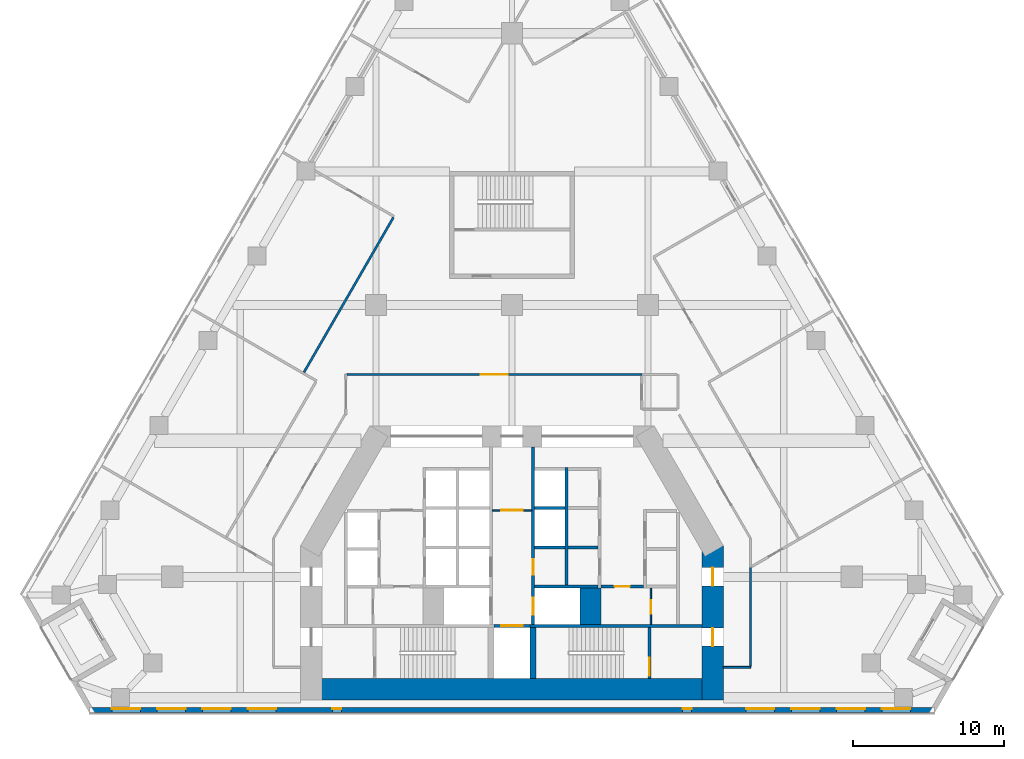
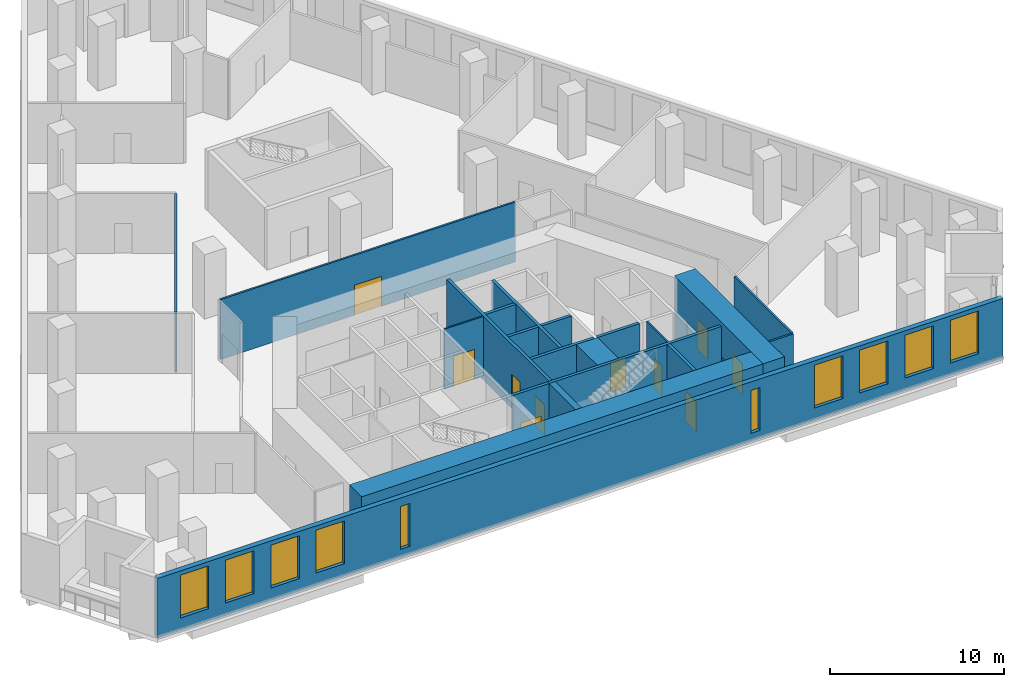
# One storey, part 5 of 14: 21 walls, 10 doors, 10 windows, 20 openings.
"""IFC4 building model written with IfcOpenShell, lengths in metres."""

from ifc_helpers import new_model, si_unit, direction, frame, frame_2d, origin, place, context, subcontext, project, spatial, rectangle, extrude, material, layer, layer_set, type_object, element, fill, save


model = new_model("IFC4")

# Units and contexts
model_context = context("Model", 3, precision=1e-05, world=origin(), true_north=direction((0.0, 1.0)))
body_context = subcontext(model_context, "Body", "Model", "MODEL_VIEW")
ifc_project = project(units=[si_unit("LENGTHUNIT", "METRE"), si_unit("AREAUNIT", "SQUARE_METRE"), si_unit("VOLUMEUNIT", "CUBIC_METRE"), si_unit("PLANEANGLEUNIT", "RADIAN"), si_unit("MASSUNIT", "GRAM", prefix="KILO")], contexts=[model_context])

# Site, building, storey
site_placement = place(None, origin())
site = spatial("IfcSite", under=ifc_project, at=site_placement, CompositionType="ELEMENT")
building_placement = place(site_placement, origin())
building = spatial("IfcBuilding", under=site, at=building_placement, Name="Fogline Exchange Tower", CompositionType="ELEMENT")
storey_placement = place(building_placement, frame((0.0, 0.0, 34.0)))
storey = spatial("IfcBuildingStorey", under=building, at=storey_placement, Name="L06", CompositionType="ELEMENT", Elevation=34.0)

# Wall, opening, door
ifc_material_1 = material(Name="Blockwork partition", Category="masonry")
ifc_layer_1 = layer(ifc_material_1, 0.10009765625)
ifc_layer_set_1 = layer_set([ifc_layer_1], Name="CW10")
wall_type_1 = type_object("IfcWallType", Name="CW10", PredefinedType="PARTITIONING", material=ifc_layer_set_1)
wall_1_placement = place(storey_placement, frame((9.199951171875, 5.85009765625, 0.0), z_axis=(0.0, 0.0, 1.0), x_axis=(0.0, 1.0, 0.0)))
wall_1 = element("IfcWall", 1, at=wall_1_placement, inside=storey, type_object=wall_type_1, Name="WC partition", PredefinedType="PARTITIONING", context=body_context, shape_type="SweptSolid", body=[
    extrude(rectangle(XDim=2.39990234375, YDim=0.10009765625, at=frame_2d((1.199951171875, 0.0))), origin(), (0.0, 0.0, 1.0), 4.199951171875),
])
opening_1_placement = place(wall_1_placement, frame((0.699951171875, 0.0, 0.0)))
opening_1 = element("IfcOpeningElement", 2, at=opening_1_placement, cuts=wall_1, Name="Opening T01-C014", PredefinedType="OPENING", context=body_context, shape_type="SweptSolid", body=[
    extrude(rectangle(XDim=0.89990234375, YDim=2.10009765625, at=frame_2d((0.449951171875, 1.050048828125))), frame((0.0, 0.06005859375, 0.0), z_axis=(0.0, -1.0, 0.0), x_axis=(1.0, 0.0, 0.0)), (0.0, 0.0, 1.0), 0.1201171875),
])
ifc_material_2 = material(Name="Steel and timber fire door", Category="steel")
door_type_1 = type_object("IfcDoorType", Name="D-CS1", OperationType="SINGLE_SWING_RIGHT", PredefinedType="DOOR", material=ifc_material_2)
door_1_placement = place(opening_1_placement, frame((0.89990234375, 0.0, 0.0), z_axis=(0.0, 0.0, 1.0), x_axis=(-1.0, 0.0, 0.0)))
door_1 = element("IfcDoor", 3, at=door_1_placement, inside=storey, type_object=door_type_1, Name="Door to Cleaner's Store", OperationType="SINGLE_SWING_RIGHT", OverallHeight=2.10009765625, OverallWidth=0.89990234375, PredefinedType="DOOR", context=body_context, shape_type="SweptSolid", body=[
    extrude(rectangle(XDim=0.89990234375, YDim=2.10009765625, at=frame_2d((0.449951171875, 1.050048828125))), frame((0.0, 0.02490234375, 0.0), z_axis=(0.0, -1.0, 0.0), x_axis=(1.0, 0.0, 0.0)), (0.0, 0.0, 1.0), 0.050048828125),
])
fill(opening_1, door_1)

wall_2_placement = place(storey_placement, frame((-1.300048828125, 13.39990234375, 0.0), z_axis=(0.0, 0.0, 1.0), x_axis=(1.0, 0.0, 0.0)))
wall_2 = element("IfcWall", 4, at=wall_2_placement, inside=storey, type_object=wall_type_1, Name="Lift lobby partition", PredefinedType="PARTITIONING", context=body_context, shape_type="SweptSolid", body=[
    extrude(rectangle(XDim=2.60009765625, YDim=0.10009765625, at=frame_2d((1.300048828125, 0.0))), origin(), (0.0, 0.0, 1.0), 4.199951171875),
])
opening_2_placement = place(wall_2_placement, frame((0.60009765625, 0.0, 0.0)))
opening_2 = element("IfcOpeningElement", 5, at=opening_2_placement, cuts=wall_2, Name="Opening T01-C018", PredefinedType="OPENING", context=body_context, shape_type="SweptSolid", body=[
    extrude(rectangle(XDim=1.39990234375, YDim=2.10009765625, at=frame_2d((0.699951171875, 1.050048828125))), frame((0.0, 0.06005859375, 0.0), z_axis=(0.0, -1.0, 0.0), x_axis=(1.0, 0.0, 0.0)), (0.0, 0.0, 1.0), 0.1201171875),
])
door_type_2 = type_object("IfcDoorType", Name="D-LB1", OperationType="DOUBLE_DOOR_SINGLE_SWING", PredefinedType="DOOR", material=ifc_material_2)
door_2_placement = place(opening_2_placement, origin())
door_2 = element("IfcDoor", 6, at=door_2_placement, inside=storey, type_object=door_type_2, Name="Door to firefighting lift lobby", OperationType="DOUBLE_DOOR_SINGLE_SWING", OverallHeight=2.10009765625, OverallWidth=1.39990234375, PredefinedType="DOOR", context=body_context, shape_type="SweptSolid", body=[
    extrude(rectangle(XDim=1.39990234375, YDim=2.10009765625, at=frame_2d((0.699951171875, 1.050048828125))), frame((0.0, 0.02490234375, 0.0), z_axis=(0.0, -1.0, 0.0), x_axis=(1.0, 0.0, 0.0)), (0.0, 0.0, 1.0), 0.050048828125),
])
fill(opening_2, door_2)

# Wall
ifc_material_3 = material(Name="Concrete C60", Category="concrete")
ifc_layer_2 = layer(ifc_material_3, 1.39990234375)
ifc_layer_set_2 = layer_set([ifc_layer_2], Name="CW140")
wall_type_2 = type_object("IfcWallType", Name="CW140", PredefinedType="SOLIDWALL", material=ifc_layer_set_2)
wall_3_placement = place(storey_placement, frame((5.199951171875, 5.85009765625, -0.300048828125), z_axis=(0.0, 0.0, 1.0), x_axis=(0.0, 1.0, 0.0)))
element("IfcWall", 7, at=wall_3_placement, inside=storey, type_object=wall_type_2, Name="Lift shaft block wall", PredefinedType="SOLIDWALL", context=body_context, shape_type="SweptSolid", body=[
    extrude(rectangle(XDim=2.39990234375, YDim=1.39990234375, at=frame_2d((1.199951171875, 0.0))), origin(), (0.0, 0.0, 1.0), 4.5),
])

# Wall, opening, door
ifc_material_4 = material(Name="Concrete C40", Category="concrete")
ifc_layer_3 = layer(ifc_material_4, 0.199951171875)
ifc_layer_set_3 = layer_set([ifc_layer_3], Name="CW20")
wall_type_3 = type_object("IfcWallType", Name="CW20", PredefinedType="SOLIDWALL", material=ifc_layer_set_3)
wall_4_placement = place(storey_placement, frame((5.89990234375, 8.35009765625, 0.0), z_axis=(0.0, 0.0, 1.0), x_axis=(1.0, 0.0, 0.0)))
wall_4 = element("IfcWall", 8, at=wall_4_placement, inside=storey, type_object=wall_type_3, Name="WC wall", PredefinedType="SOLIDWALL", context=body_context, shape_type="SweptSolid", body=[
    extrude(rectangle(XDim=2.800048828125, YDim=0.199951171875, at=frame_2d((1.39990234375, 0.0))), origin(), (0.0, 0.0, 1.0), 4.199951171875),
])
opening_3_placement = place(wall_4_placement, frame((0.89990234375, 0.0, 0.0)))
opening_3 = element("IfcOpeningElement", 9, at=opening_3_placement, cuts=wall_4, Name="Opening T01-C013", PredefinedType="OPENING", context=body_context, shape_type="SweptSolid", body=[
    extrude(rectangle(XDim=1.0, YDim=2.10009765625, at=frame_2d((0.5, 1.050048828125))), frame((0.0, 0.10986328125, 0.0), z_axis=(0.0, -1.0, 0.0), x_axis=(1.0, 0.0, 0.0)), (0.0, 0.0, 1.0), 0.219970703125),
])
door_type_3 = type_object("IfcDoorType", Name="D-WC1", OperationType="SINGLE_SWING_LEFT", PredefinedType="DOOR", material=ifc_material_2)
door_3_placement = place(opening_3_placement, frame((1.0, 0.0, 0.0), z_axis=(0.0, 0.0, 1.0), x_axis=(-1.0, 0.0, 0.0)))
door_3 = element("IfcDoor", 10, at=door_3_placement, inside=storey, type_object=door_type_3, Name="Door to Women's WC", OperationType="SINGLE_SWING_LEFT", OverallHeight=2.10009765625, OverallWidth=1.0, PredefinedType="DOOR", context=body_context, shape_type="SweptSolid", body=[
    extrude(rectangle(XDim=1.0, YDim=2.10009765625, at=frame_2d((0.5, 1.050048828125))), frame((0.0, 0.02490234375, 0.0), z_axis=(0.0, -1.0, 0.0), x_axis=(1.0, 0.0, 0.0)), (0.0, 0.0, 1.0), 0.050048828125),
])
fill(opening_3, door_3)

ifc_layer_4 = layer(ifc_material_4, 0.199951171875)
ifc_layer_set_4 = layer_set([ifc_layer_4], Name="CW20R")
wall_type_4 = type_object("IfcWallType", Name="CW20R", PredefinedType="SOLIDWALL", material=ifc_layer_set_4)
wall_5_placement = place(storey_placement, frame((-1.199951171875, 5.75, -0.300048828125), z_axis=(0.0, 0.0, 1.0), x_axis=(1.0, 0.0, 0.0)))
wall_5 = element("IfcWall", 11, at=wall_5_placement, inside=storey, type_object=wall_type_4, Name="Stair enclosure wall", PredefinedType="SOLIDWALL", context=body_context, shape_type="SweptSolid", body=[
    extrude(rectangle(XDim=2.39990234375, YDim=0.199951171875, at=frame_2d((1.199951171875, 0.0))), origin(), (0.0, 0.0, 1.0), 4.5),
])
opening_4_placement = place(wall_5_placement, frame((0.5, 0.0, 0.300048828125)))
opening_4 = element("IfcOpeningElement", 12, at=opening_4_placement, cuts=wall_5, Name="Opening T01-LD09", PredefinedType="OPENING", context=body_context, shape_type="SweptSolid", body=[
    extrude(rectangle(XDim=1.39990234375, YDim=2.10009765625, at=frame_2d((0.699951171875, 1.050048828125))), frame((0.0, 0.10986328125, 0.0), z_axis=(0.0, -1.0, 0.0), x_axis=(1.0, 0.0, 0.0)), (0.0, 0.0, 1.0), 0.219970703125),
])
door_type_4 = type_object("IfcDoorType", Name="LD3", OperationType="SLIDING_TO_LEFT", PredefinedType="DOOR", material=ifc_material_2)
door_4_placement = place(opening_4_placement, origin())
door_4 = element("IfcDoor", 13, at=door_4_placement, inside=storey, type_object=door_type_4, Name="Landing door GL1", OperationType="SLIDING_TO_LEFT", OverallHeight=2.10009765625, OverallWidth=1.39990234375, PredefinedType="DOOR", context=body_context, shape_type="SweptSolid", body=[
    extrude(rectangle(XDim=1.39990234375, YDim=2.10009765625, at=frame_2d((0.699951171875, 1.050048828125))), frame((0.0, 0.02490234375, 0.0), z_axis=(0.0, -1.0, 0.0), x_axis=(1.0, 0.0, 0.0)), (0.0, 0.0, 1.0), 0.050048828125),
])
fill(opening_4, door_4)

# Wall
wall_6_placement = place(storey_placement, frame((1.199951171875, 5.75, -0.300048828125), z_axis=(0.0, 0.0, 1.0), x_axis=(1.0, 0.0, 0.0)))
element("IfcWall", 14, at=wall_6_placement, inside=storey, type_object=wall_type_4, Name="Stair enclosure wall", PredefinedType="SOLIDWALL", context=body_context, shape_type="SweptSolid", body=[
    extrude(rectangle(XDim=11.400146484375, YDim=0.199951171875, at=frame_2d((5.7001953125, 0.0))), origin(), (0.0, 0.0, 1.0), 4.5),
])

# Wall, opening, door
wall_7_placement = place(storey_placement, frame((9.10009765625, 2.25, -0.300048828125), z_axis=(0.0, 0.0, 1.0), x_axis=(0.0, 1.0, 0.0)))
wall_7 = element("IfcWall", 15, at=wall_7_placement, inside=storey, type_object=wall_type_4, Name="Stair enclosure wall", PredefinedType="SOLIDWALL", context=body_context, shape_type="SweptSolid", body=[
    extrude(rectangle(XDim=3.39990234375, YDim=0.199951171875, at=frame_2d((1.699951171875, 0.0))), origin(), (0.0, 0.0, 1.0), 4.5),
])
opening_5_placement = place(wall_7_placement, frame((0.199951171875, 0.0, 0.300048828125)))
opening_5 = element("IfcOpeningElement", 16, at=opening_5_placement, cuts=wall_7, Name="Opening T01-C016", PredefinedType="OPENING", context=body_context, shape_type="SweptSolid", body=[
    extrude(rectangle(XDim=1.199951171875, YDim=2.10009765625, at=frame_2d((0.60009765625, 1.050048828125))), frame((0.0, 0.10986328125, 0.0), z_axis=(0.0, -1.0, 0.0), x_axis=(1.0, 0.0, 0.0)), (0.0, 0.0, 1.0), 0.219970703125),
])
door_type_5 = type_object("IfcDoorType", Name="D-ST1", OperationType="SINGLE_SWING_LEFT", PredefinedType="DOOR", material=ifc_material_2)
door_5_placement = place(opening_5_placement, origin())
door_5 = element("IfcDoor", 17, at=door_5_placement, inside=storey, type_object=door_type_5, Name="Stair door ST2", OperationType="SINGLE_SWING_LEFT", OverallHeight=2.10009765625, OverallWidth=1.199951171875, PredefinedType="DOOR", context=body_context, shape_type="SweptSolid", body=[
    extrude(rectangle(XDim=1.199951171875, YDim=2.10009765625, at=frame_2d((0.60009765625, 1.050048828125))), frame((0.0, 0.02490234375, 0.0), z_axis=(0.0, -1.0, 0.0), x_axis=(1.0, 0.0, 0.0)), (0.0, 0.0, 1.0), 0.050048828125),
])
fill(opening_5, door_5)

# Wall
ifc_layer_5 = layer(ifc_material_4, 0.199951171875)
ifc_layer_set_5 = layer_set([ifc_layer_5], Name="CW20S")
wall_type_5 = type_object("IfcWallType", Name="CW20S", PredefinedType="SOLIDWALL", material=ifc_layer_set_5)
wall_8_placement = place(storey_placement, frame((3.60009765625, 8.449951171875, -0.300048828125), z_axis=(0.0, 0.0, 1.0), x_axis=(0.0, 1.0, 0.0)))
element("IfcWall", 18, at=wall_8_placement, inside=storey, type_object=wall_type_5, Name="Lift shaft wall", PredefinedType="SOLIDWALL", context=body_context, shape_type="SweptSolid", body=[
    extrude(rectangle(XDim=7.800048828125, YDim=0.199951171875, at=frame_2d((3.89990234375, 0.0))), origin(), (0.0, 0.0, 1.0), 4.5),
])

# Wall, openings, doors
wall_9_placement = place(storey_placement, frame((1.39990234375, 5.85009765625, -0.300048828125), z_axis=(0.0, 0.0, 1.0), x_axis=(0.0, 1.0, 0.0)))
wall_9 = element("IfcWall", 19, at=wall_9_placement, inside=storey, type_object=wall_type_5, Name="Lift lobby wall", PredefinedType="SOLIDWALL", context=body_context, shape_type="SweptSolid", body=[
    extrude(rectangle(XDim=11.75, YDim=0.199951171875, at=frame_2d((5.875, 0.0))), origin(), (0.0, 0.0, 1.0), 4.5),
])
opening_6_placement = place(wall_9_placement, frame((0.64990234375, 0.0, 0.300048828125)))
opening_6 = element("IfcOpeningElement", 20, at=opening_6_placement, cuts=wall_9, Name="Opening T01-LD08", PredefinedType="OPENING", context=body_context, shape_type="SweptSolid", body=[
    extrude(rectangle(XDim=1.10009765625, YDim=2.10009765625, at=frame_2d((0.550048828125, 1.050048828125))), frame((0.0, 0.10986328125, 0.0), z_axis=(0.0, -1.0, 0.0), x_axis=(1.0, 0.0, 0.0)), (0.0, 0.0, 1.0), 0.219970703125),
])
opening_7_placement = place(wall_9_placement, frame((3.300048828125, 0.0, 0.300048828125)))
opening_7 = element("IfcOpeningElement", 21, at=opening_7_placement, cuts=wall_9, Name="Opening T01-C006", PredefinedType="OPENING", context=body_context, shape_type="SweptSolid", body=[
    extrude(rectangle(XDim=1.0, YDim=2.10009765625, at=frame_2d((0.5, 1.050048828125))), frame((0.0, 0.10986328125, 0.0), z_axis=(0.0, -1.0, 0.0), x_axis=(1.0, 0.0, 0.0)), (0.0, 0.0, 1.0), 0.219970703125),
])
door_type_6 = type_object("IfcDoorType", Name="D-RM1", OperationType="SINGLE_SWING_LEFT", PredefinedType="DOOR", material=ifc_material_2)
door_6_placement = place(opening_7_placement, frame((1.0, 0.0, 0.0), z_axis=(0.0, 0.0, 1.0), x_axis=(-1.0, 0.0, 0.0)))
door_6 = element("IfcDoor", 22, at=door_6_placement, inside=storey, type_object=door_type_6, Name="Door to Records Store", OperationType="SINGLE_SWING_RIGHT", OverallHeight=2.10009765625, OverallWidth=1.0, PredefinedType="DOOR", context=body_context, shape_type="SweptSolid", body=[
    extrude(rectangle(XDim=1.0, YDim=2.10009765625, at=frame_2d((0.5, 1.050048828125))), frame((0.0, 0.02490234375, 0.0), z_axis=(0.0, -1.0, 0.0), x_axis=(1.0, 0.0, 0.0)), (0.0, 0.0, 1.0), 0.050048828125),
])
fill(opening_7, door_6)
door_type_7 = type_object("IfcDoorType", Name="LD2", OperationType="SLIDING_TO_RIGHT", PredefinedType="DOOR", material=ifc_material_2)
door_7_placement = place(opening_6_placement, origin())
door_7 = element("IfcDoor", 23, at=door_7_placement, inside=storey, type_object=door_type_7, Name="Landing door FF2", OperationType="SLIDING_TO_RIGHT", OverallHeight=2.10009765625, OverallWidth=1.10009765625, PredefinedType="DOOR", context=body_context, shape_type="SweptSolid", body=[
    extrude(rectangle(XDim=1.10009765625, YDim=2.10009765625, at=frame_2d((0.550048828125, 1.050048828125))), frame((0.0, 0.02490234375, 0.0), z_axis=(0.0, -1.0, 0.0), x_axis=(1.0, 0.0, 0.0)), (0.0, 0.0, 1.0), 0.050048828125),
])
fill(opening_6, door_7)

# Walls
wall_10_placement = place(storey_placement, frame((1.5, 8.35009765625, -0.300048828125), z_axis=(0.0, 0.0, 1.0), x_axis=(1.0, 0.0, 0.0)))
element("IfcWall", 24, at=wall_10_placement, inside=storey, type_object=wall_type_5, Name="Lift shaft wall", PredefinedType="SOLIDWALL", context=body_context, shape_type="SweptSolid", body=[
    extrude(rectangle(XDim=4.199951171875, YDim=0.199951171875, at=frame_2d((2.10009765625, 0.0))), origin(), (0.0, 0.0, 1.0), 4.5),
])
for number, where, z_axis, x_axis, name in (
    (25, (3.699951171875, 10.949951171875, -0.300048828125), (0.0, 0.0, 1.0), (1.0, 0.0, 0.0), "Lift shaft wall"),
    (26, (1.5, 10.949951171875, -0.300048828125), (0.0, 0.0, 1.0), (1.0, 0.0, 0.0), "Lift shaft wall"),
    (27, (1.5, 13.550048828125, -0.300048828125), (0.0, 0.0, 1.0), (1.0, 0.0, 0.0), "Lift shaft wall"),
):
    element("IfcWall", number, at=place(storey_placement, frame(where, z_axis=z_axis, x_axis=x_axis)), inside=storey, type_object=wall_type_5, Name=name, PredefinedType="SOLIDWALL", context=body_context, shape_type="SweptSolid", body=[
        extrude(rectangle(XDim=2.0, YDim=0.199951171875, at=frame_2d((1.0, 0.0))), origin(), (0.0, 0.0, 1.0), 4.5),
    ])
ifc_layer_6 = layer(ifc_material_4, 0.39990234375)
ifc_layer_set_6 = layer_set([ifc_layer_6], Name="CW40R")
wall_type_6 = type_object("IfcWallType", Name="CW40R", PredefinedType="SOLIDWALL", material=ifc_layer_set_6)
wall_11_placement = place(storey_placement, frame((1.39990234375, 2.25, -0.300048828125), z_axis=(0.0, 0.0, 1.0), x_axis=(0.0, 1.0, 0.0)))
element("IfcWall", 28, at=wall_11_placement, inside=storey, type_object=wall_type_6, Name="Stair and lift shaft wall", PredefinedType="SOLIDWALL", context=body_context, shape_type="SweptSolid", body=[
    extrude(rectangle(XDim=3.39990234375, YDim=0.39990234375, at=frame_2d((1.699951171875, 0.0))), origin(), (0.0, 0.0, 1.0), 4.5),
])

# Wall, openings, windows
ifc_material_5 = material(Name="Brick masonry", Category="masonry")
ifc_layer_7 = layer(ifc_material_5, 0.340087890625)
ifc_layer_set_7 = layer_set([ifc_layer_7], Name="FW1")
wall_type_7 = type_object("IfcWallType", Name="FW1", PredefinedType="SOLIDWALL", material=ifc_layer_set_7)
wall_12_placement = place(storey_placement, frame((-28.0, 0.169921875, 0.0), z_axis=(0.0, 0.0, 1.0), x_axis=(1.0, 0.0, 0.0)))
wall_12 = element("IfcWall", 29, at=wall_12_placement, inside=storey, type_object=wall_type_7, Name="Brick wall L06 S", PredefinedType="SOLIDWALL", context=body_context, shape_type="SweptSolid", body=[
    extrude(rectangle(XDim=56.0, YDim=0.340087890625, at=frame_2d((28.0, 0.0))), origin(), (0.0, 0.0, 1.0), 4.199951171875),
])
opening_8_placement = place(wall_12_placement, frame((1.5, 0.0, 0.89990234375)))
opening_8 = element("IfcOpeningElement", 30, at=opening_8_placement, cuts=wall_12, Name="Opening W2", PredefinedType="OPENING", context=body_context, shape_type="SweptSolid", body=[
    extrude(rectangle(XDim=1.885009765625, YDim=3.0, at=frame_2d((0.9423828125, 1.5))), frame((0.0, 0.18017578125, 0.0), z_axis=(0.0, -1.0, 0.0), x_axis=(1.0, 0.0, 0.0)), (0.0, 0.0, 1.0), 0.360107421875),
])
opening_9_placement = place(wall_12_placement, frame((4.5, 0.0, 0.89990234375)))
opening_9 = element("IfcOpeningElement", 31, at=opening_9_placement, cuts=wall_12, Name="Opening W2", PredefinedType="OPENING", context=body_context, shape_type="SweptSolid", body=[
    extrude(rectangle(XDim=1.885009765625, YDim=3.0, at=frame_2d((0.9423828125, 1.5))), frame((0.0, 0.18017578125, 0.0), z_axis=(0.0, -1.0, 0.0), x_axis=(1.0, 0.0, 0.0)), (0.0, 0.0, 1.0), 0.360107421875),
])
opening_10_placement = place(wall_12_placement, frame((7.5, 0.0, 0.89990234375)))
opening_10 = element("IfcOpeningElement", 32, at=opening_10_placement, cuts=wall_12, Name="Opening W2", PredefinedType="OPENING", context=body_context, shape_type="SweptSolid", body=[
    extrude(rectangle(XDim=1.885009765625, YDim=3.0, at=frame_2d((0.9423828125, 1.5))), frame((0.0, 0.18017578125, 0.0), z_axis=(0.0, -1.0, 0.0), x_axis=(1.0, 0.0, 0.0)), (0.0, 0.0, 1.0), 0.360107421875),
])
opening_11_placement = place(wall_12_placement, frame((10.5, 0.0, 0.89990234375)))
opening_11 = element("IfcOpeningElement", 33, at=opening_11_placement, cuts=wall_12, Name="Opening W2", PredefinedType="OPENING", context=body_context, shape_type="SweptSolid", body=[
    extrude(rectangle(XDim=1.885009765625, YDim=3.0, at=frame_2d((0.9423828125, 1.5))), frame((0.0, 0.18017578125, 0.0), z_axis=(0.0, -1.0, 0.0), x_axis=(1.0, 0.0, 0.0)), (0.0, 0.0, 1.0), 0.360107421875),
])
opening_12_placement = place(wall_12_placement, frame((43.5, 0.0, 0.89990234375)))
opening_12 = element("IfcOpeningElement", 34, at=opening_12_placement, cuts=wall_12, Name="Opening W2", PredefinedType="OPENING", context=body_context, shape_type="SweptSolid", body=[
    extrude(rectangle(XDim=1.885009765625, YDim=3.0, at=frame_2d((0.9423828125, 1.5))), frame((0.0, 0.18017578125, 0.0), z_axis=(0.0, -1.0, 0.0), x_axis=(1.0, 0.0, 0.0)), (0.0, 0.0, 1.0), 0.360107421875),
])
opening_13_placement = place(wall_12_placement, frame((46.5, 0.0, 0.89990234375)))
opening_13 = element("IfcOpeningElement", 35, at=opening_13_placement, cuts=wall_12, Name="Opening W2", PredefinedType="OPENING", context=body_context, shape_type="SweptSolid", body=[
    extrude(rectangle(XDim=1.885009765625, YDim=3.0, at=frame_2d((0.9423828125, 1.5))), frame((0.0, 0.18017578125, 0.0), z_axis=(0.0, -1.0, 0.0), x_axis=(1.0, 0.0, 0.0)), (0.0, 0.0, 1.0), 0.360107421875),
])
opening_14_placement = place(wall_12_placement, frame((49.5, 0.0, 0.89990234375)))
opening_14 = element("IfcOpeningElement", 36, at=opening_14_placement, cuts=wall_12, Name="Opening W2", PredefinedType="OPENING", context=body_context, shape_type="SweptSolid", body=[
    extrude(rectangle(XDim=1.885009765625, YDim=3.0, at=frame_2d((0.9423828125, 1.5))), frame((0.0, 0.18017578125, 0.0), z_axis=(0.0, -1.0, 0.0), x_axis=(1.0, 0.0, 0.0)), (0.0, 0.0, 1.0), 0.360107421875),
])
opening_15_placement = place(wall_12_placement, frame((52.5, 0.0, 0.89990234375)))
opening_15 = element("IfcOpeningElement", 37, at=opening_15_placement, cuts=wall_12, Name="Opening W2", PredefinedType="OPENING", context=body_context, shape_type="SweptSolid", body=[
    extrude(rectangle(XDim=1.885009765625, YDim=3.0, at=frame_2d((0.9423828125, 1.5))), frame((0.0, 0.18017578125, 0.0), z_axis=(0.0, -1.0, 0.0), x_axis=(1.0, 0.0, 0.0)), (0.0, 0.0, 1.0), 0.360107421875),
])
opening_16_placement = place(wall_12_placement, frame((16.10009765625, 0.0, 0.60009765625)))
opening_16 = element("IfcOpeningElement", 38, at=opening_16_placement, cuts=wall_12, Name="Opening W5", PredefinedType="OPENING", context=body_context, shape_type="SweptSolid", body=[
    extrude(rectangle(XDim=0.60009765625, YDim=3.0, at=frame_2d((0.300048828125, 1.5))), frame((0.0, 0.18017578125, 0.0), z_axis=(0.0, -1.0, 0.0), x_axis=(1.0, 0.0, 0.0)), (0.0, 0.0, 1.0), 0.360107421875),
])
opening_17_placement = place(wall_12_placement, frame((39.300048828125, 0.0, 0.60009765625)))
opening_17 = element("IfcOpeningElement", 39, at=opening_17_placement, cuts=wall_12, Name="Opening W5", PredefinedType="OPENING", context=body_context, shape_type="SweptSolid", body=[
    extrude(rectangle(XDim=0.60009765625, YDim=3.0, at=frame_2d((0.300048828125, 1.5))), frame((0.0, 0.18017578125, 0.0), z_axis=(0.0, -1.0, 0.0), x_axis=(1.0, 0.0, 0.0)), (0.0, 0.0, 1.0), 0.360107421875),
])
ifc_material_6 = material(Name="Aluminium and glass", Category="aluminium")
window_type_1 = type_object("IfcWindowType", Name="W2", PartitioningType="SINGLE_PANEL", PredefinedType="WINDOW", material=ifc_material_6)
window_1_placement = place(opening_8_placement, origin())
window_1 = element("IfcWindow", 40, at=window_1_placement, inside=storey, type_object=window_type_1, Name="W2 W2", OverallHeight=3.0, OverallWidth=1.885009765625, PartitioningType="SINGLE_PANEL", PredefinedType="WINDOW", context=body_context, shape_type="SweptSolid", body=[
    extrude(rectangle(XDim=1.885009765625, YDim=3.0, at=frame_2d((0.9423828125, 1.5))), frame((0.0, 0.110107421875, 0.0), z_axis=(0.0, -1.0, 0.0), x_axis=(1.0, 0.0, 0.0)), (0.0, 0.0, 1.0), 0.06005859375),
])
fill(opening_8, window_1)
window_2_placement = place(opening_9_placement, origin())
window_2 = element("IfcWindow", 41, at=window_2_placement, inside=storey, type_object=window_type_1, Name="W2 W2", OverallHeight=3.0, OverallWidth=1.885009765625, PartitioningType="SINGLE_PANEL", PredefinedType="WINDOW", context=body_context, shape_type="SweptSolid", body=[
    extrude(rectangle(XDim=1.885009765625, YDim=3.0, at=frame_2d((0.9423828125, 1.5))), frame((0.0, 0.110107421875, 0.0), z_axis=(0.0, -1.0, 0.0), x_axis=(1.0, 0.0, 0.0)), (0.0, 0.0, 1.0), 0.06005859375),
])
fill(opening_9, window_2)
window_3_placement = place(opening_10_placement, origin())
window_3 = element("IfcWindow", 42, at=window_3_placement, inside=storey, type_object=window_type_1, Name="W2 W2", OverallHeight=3.0, OverallWidth=1.885009765625, PartitioningType="SINGLE_PANEL", PredefinedType="WINDOW", context=body_context, shape_type="SweptSolid", body=[
    extrude(rectangle(XDim=1.885009765625, YDim=3.0, at=frame_2d((0.9423828125, 1.5))), frame((0.0, 0.110107421875, 0.0), z_axis=(0.0, -1.0, 0.0), x_axis=(1.0, 0.0, 0.0)), (0.0, 0.0, 1.0), 0.06005859375),
])
fill(opening_10, window_3)
window_4_placement = place(opening_11_placement, origin())
window_4 = element("IfcWindow", 43, at=window_4_placement, inside=storey, type_object=window_type_1, Name="W2 W2", OverallHeight=3.0, OverallWidth=1.885009765625, PartitioningType="SINGLE_PANEL", PredefinedType="WINDOW", context=body_context, shape_type="SweptSolid", body=[
    extrude(rectangle(XDim=1.885009765625, YDim=3.0, at=frame_2d((0.9423828125, 1.5))), frame((0.0, 0.110107421875, 0.0), z_axis=(0.0, -1.0, 0.0), x_axis=(1.0, 0.0, 0.0)), (0.0, 0.0, 1.0), 0.06005859375),
])
fill(opening_11, window_4)
window_5_placement = place(opening_12_placement, origin())
window_5 = element("IfcWindow", 44, at=window_5_placement, inside=storey, type_object=window_type_1, Name="W2 W2", OverallHeight=3.0, OverallWidth=1.885009765625, PartitioningType="SINGLE_PANEL", PredefinedType="WINDOW", context=body_context, shape_type="SweptSolid", body=[
    extrude(rectangle(XDim=1.885009765625, YDim=3.0, at=frame_2d((0.9423828125, 1.5))), frame((0.0, 0.110107421875, 0.0), z_axis=(0.0, -1.0, 0.0), x_axis=(1.0, 0.0, 0.0)), (0.0, 0.0, 1.0), 0.06005859375),
])
fill(opening_12, window_5)
window_6_placement = place(opening_13_placement, origin())
window_6 = element("IfcWindow", 45, at=window_6_placement, inside=storey, type_object=window_type_1, Name="W2 W2", OverallHeight=3.0, OverallWidth=1.885009765625, PartitioningType="SINGLE_PANEL", PredefinedType="WINDOW", context=body_context, shape_type="SweptSolid", body=[
    extrude(rectangle(XDim=1.885009765625, YDim=3.0, at=frame_2d((0.9423828125, 1.5))), frame((0.0, 0.110107421875, 0.0), z_axis=(0.0, -1.0, 0.0), x_axis=(1.0, 0.0, 0.0)), (0.0, 0.0, 1.0), 0.06005859375),
])
fill(opening_13, window_6)
window_7_placement = place(opening_14_placement, origin())
window_7 = element("IfcWindow", 46, at=window_7_placement, inside=storey, type_object=window_type_1, Name="W2 W2", OverallHeight=3.0, OverallWidth=1.885009765625, PartitioningType="SINGLE_PANEL", PredefinedType="WINDOW", context=body_context, shape_type="SweptSolid", body=[
    extrude(rectangle(XDim=1.885009765625, YDim=3.0, at=frame_2d((0.9423828125, 1.5))), frame((0.0, 0.110107421875, 0.0), z_axis=(0.0, -1.0, 0.0), x_axis=(1.0, 0.0, 0.0)), (0.0, 0.0, 1.0), 0.06005859375),
])
fill(opening_14, window_7)
window_8_placement = place(opening_15_placement, origin())
window_8 = element("IfcWindow", 47, at=window_8_placement, inside=storey, type_object=window_type_1, Name="W2 W2", OverallHeight=3.0, OverallWidth=1.885009765625, PartitioningType="SINGLE_PANEL", PredefinedType="WINDOW", context=body_context, shape_type="SweptSolid", body=[
    extrude(rectangle(XDim=1.885009765625, YDim=3.0, at=frame_2d((0.9423828125, 1.5))), frame((0.0, 0.110107421875, 0.0), z_axis=(0.0, -1.0, 0.0), x_axis=(1.0, 0.0, 0.0)), (0.0, 0.0, 1.0), 0.06005859375),
])
fill(opening_15, window_8)
window_type_2 = type_object("IfcWindowType", Name="W5", PartitioningType="SINGLE_PANEL", PredefinedType="WINDOW", material=ifc_material_6)
window_9_placement = place(opening_16_placement, origin())
window_9 = element("IfcWindow", 48, at=window_9_placement, inside=storey, type_object=window_type_2, Name="W5 W5", OverallHeight=3.0, OverallWidth=0.60009765625, PartitioningType="SINGLE_PANEL", PredefinedType="WINDOW", context=body_context, shape_type="SweptSolid", body=[
    extrude(rectangle(XDim=0.60009765625, YDim=3.0, at=frame_2d((0.300048828125, 1.5))), frame((0.0, 0.110107421875, 0.0), z_axis=(0.0, -1.0, 0.0), x_axis=(1.0, 0.0, 0.0)), (0.0, 0.0, 1.0), 0.06005859375),
])
fill(opening_16, window_9)
window_10_placement = place(opening_17_placement, origin())
window_10 = element("IfcWindow", 49, at=window_10_placement, inside=storey, type_object=window_type_2, Name="W5 W5", OverallHeight=3.0, OverallWidth=0.60009765625, PartitioningType="SINGLE_PANEL", PredefinedType="WINDOW", context=body_context, shape_type="SweptSolid", body=[
    extrude(rectangle(XDim=0.60009765625, YDim=3.0, at=frame_2d((0.300048828125, 1.5))), frame((0.0, 0.110107421875, 0.0), z_axis=(0.0, -1.0, 0.0), x_axis=(1.0, 0.0, 0.0)), (0.0, 0.0, 1.0), 0.06005859375),
])
fill(opening_17, window_10)

# Walls
ifc_material_7 = material(Name="Plasterboard corridor partition with mineral wool, 2 layers each side")
ifc_layer_8 = layer(ifc_material_7, 0.125)
ifc_layer_set_8 = layer_set([ifc_layer_8], Name="PW2")
wall_type_8 = type_object("IfcWallType", Name="PW2", PredefinedType="PARTITIONING", material=ifc_layer_set_8)
wall_13_placement = place(storey_placement, frame((15.800048828125, 9.633056640625, 0.0), z_axis=(0.0, 0.0, 1.0), x_axis=(0.0, -1.0, 0.0)))
element("IfcWall", 50, at=wall_13_placement, inside=storey, type_object=wall_type_8, Name="wall-L06-W003", PredefinedType="PARTITIONING", context=body_context, shape_type="SweptSolid", body=[
    extrude(rectangle(XDim=6.570556640625, YDim=0.125, at=frame_2d((3.28515625, 0.0))), origin(), (0.0, 0.0, 1.0), 4.199951171875),
])
wall_14_placement = place(storey_placement, frame((15.800048828125, 3.0, 0.0), z_axis=(0.0, 0.0, 1.0), x_axis=(-1.0, 0.0, 0.0)))
element("IfcWall", 51, at=wall_14_placement, inside=storey, type_object=wall_type_8, Name="wall-L06-W004", PredefinedType="PARTITIONING", context=body_context, shape_type="SweptSolid", body=[
    extrude(rectangle(XDim=1.800048828125, YDim=0.125, at=frame_2d((0.89990234375, 0.0))), origin(), (0.0, 0.0, 1.0), 4.199951171875),
])

# Wall, opening, door
wall_15_placement = place(storey_placement, frame((-10.9375, 22.39990234375, 0.0), z_axis=(0.0, 0.0, 1.0), x_axis=(1.0, 0.0, 0.0)))
wall_15 = element("IfcWall", 52, at=wall_15_placement, inside=storey, type_object=wall_type_8, Name="wall-L06-W006", PredefinedType="PARTITIONING", context=body_context, shape_type="SweptSolid", body=[
    extrude(rectangle(XDim=19.53759765625, YDim=0.125, at=frame_2d((9.768798828125, 0.0))), origin(), (0.0, 0.0, 1.0), 4.199951171875),
])
opening_18_placement = place(wall_15_placement, frame((8.868896484375, 0.0, 0.0)))
opening_18 = element("IfcOpeningElement", 53, at=opening_18_placement, cuts=wall_15, Name="Opening T01-D003", PredefinedType="OPENING", context=body_context, shape_type="SweptSolid", body=[
    extrude(rectangle(XDim=1.800048828125, YDim=2.10009765625, at=frame_2d((0.89990234375, 1.050048828125))), frame((0.0, 0.072509765625, 0.0), z_axis=(0.0, -1.0, 0.0), x_axis=(1.0, 0.0, 0.0)), (0.0, 0.0, 1.0), 0.14501953125),
])
ifc_material_8 = material(Name="Fire-rated timber door leaves with steel frame", Category="steel")
door_type_8 = type_object("IfcDoorType", Name="D4", OperationType="DOUBLE_DOOR_SINGLE_SWING", PredefinedType="DOOR", material=ifc_material_8)
door_8_placement = place(opening_18_placement, frame((1.800048828125, 0.0, 0.0), z_axis=(0.0, 0.0, 1.0), x_axis=(-1.0, 0.0, 0.0)))
door_8 = element("IfcDoor", 54, at=door_8_placement, inside=storey, type_object=door_type_8, Name="door-L06-D003", OperationType="DOUBLE_DOOR_SINGLE_SWING", OverallHeight=2.10009765625, OverallWidth=1.800048828125, PredefinedType="DOOR", context=body_context, shape_type="SweptSolid", body=[
    extrude(rectangle(XDim=1.800048828125, YDim=2.10009765625, at=frame_2d((0.89990234375, 1.050048828125))), frame((0.0, 0.02490234375, 0.0), z_axis=(0.0, -1.0, 0.0), x_axis=(1.0, 0.0, 0.0)), (0.0, 0.0, 1.0), 0.050048828125),
])
fill(opening_18, door_8)

# Walls
ifc_material_9 = material(Name="Plasterboard demising partition with mineral wool and acoustic board")
ifc_layer_9 = layer(ifc_material_9, 0.14990234375)
ifc_layer_set_9 = layer_set([ifc_layer_9], Name="PW3")
wall_type_9 = type_object("IfcWallType", Name="PW3", PredefinedType="PARTITIONING", material=ifc_layer_set_9)
wall_16_placement = place(storey_placement, frame((-13.778076171875, 22.54150390625, 0.0), z_axis=(0.0, 0.0, 1.0), x_axis=(0.500001258315, 0.866024677295, 0.0)))
element("IfcWall", 55, at=wall_16_placement, inside=storey, type_object=wall_type_9, Name="wall-L06-W031", PredefinedType="PARTITIONING", context=body_context, shape_type="SweptSolid", body=[
    extrude(rectangle(XDim=11.85009765625, YDim=0.14990234375, at=frame_2d((5.925048828125, 0.0))), origin(), (0.0, 0.0, 1.0), 4.199951171875),
])
ifc_layer_10 = layer(ifc_material_3, 1.39990234375)
ifc_layer_set_10 = layer_set([ifc_layer_10], Name="SW01")
wall_type_10 = type_object("IfcWallType", Name="SW01", PredefinedType="SHEAR", material=ifc_layer_set_10)
wall_17_placement = place(storey_placement, frame((-14.0, 1.550048828125, 0.0), z_axis=(0.0, 0.0, 1.0), x_axis=(1.0, 0.0, 0.0)))
element("IfcWall", 56, at=wall_17_placement, inside=storey, type_object=wall_type_10, Name="L06-W901", PredefinedType="SHEAR", context=body_context, shape_type="SweptSolid", body=[
    extrude(rectangle(XDim=28.0, YDim=1.39990234375, at=frame_2d((14.0, 0.0))), origin(), (0.0, 0.0, 1.0), 4.5),
])

# Wall, openings, doors
wall_18_placement = place(storey_placement, frame((13.300048828125, 0.85009765625, 0.0), z_axis=(0.0, 0.0, 1.0), x_axis=(0.0, 1.0, 0.0)))
wall_18 = element("IfcWall", 57, at=wall_18_placement, inside=storey, type_object=wall_type_10, Name="L06-W902", PredefinedType="SHEAR", context=body_context, shape_type="SweptSolid", body=[
    extrude(rectangle(XDim=10.202392578125, YDim=1.39990234375, at=frame_2d((5.10107421875, 0.0))), origin(), (0.0, 0.0, 1.0), 4.5),
])
opening_19_placement = place(wall_18_placement, frame((3.550048828125, 0.0, 0.0)))
opening_19 = element("IfcOpeningElement", 58, at=opening_19_placement, cuts=wall_18, Name="Opening T01-C015", PredefinedType="OPENING", context=body_context, shape_type="SweptSolid", body=[
    extrude(rectangle(XDim=1.199951171875, YDim=2.10009765625, at=frame_2d((0.60009765625, 1.050048828125))), frame((0.0, 0.7099609375, 0.0), z_axis=(0.0, -1.0, 0.0), x_axis=(1.0, 0.0, 0.0)), (0.0, 0.0, 1.0), 1.419921875),
])
opening_20_placement = place(wall_18_placement, frame((7.550048828125, 0.0, 0.0)))
opening_20 = element("IfcOpeningElement", 59, at=opening_20_placement, cuts=wall_18, Name="Opening T01-C017", PredefinedType="OPENING", context=body_context, shape_type="SweptSolid", body=[
    extrude(rectangle(XDim=1.199951171875, YDim=2.10009765625, at=frame_2d((0.60009765625, 1.050048828125))), frame((0.0, 0.7099609375, 0.0), z_axis=(0.0, -1.0, 0.0), x_axis=(1.0, 0.0, 0.0)), (0.0, 0.0, 1.0), 1.419921875),
])
door_type_9 = type_object("IfcDoorType", Name="D-FR1", OperationType="SINGLE_SWING_RIGHT", PredefinedType="DOOR", material=ifc_material_2)
door_9_placement = place(opening_19_placement, origin())
door_9 = element("IfcDoor", 60, at=door_9_placement, inside=storey, type_object=door_type_9, Name="Front room door ST2", OperationType="SINGLE_SWING_RIGHT", OverallHeight=2.10009765625, OverallWidth=1.199951171875, PredefinedType="DOOR", context=body_context, shape_type="SweptSolid", body=[
    extrude(rectangle(XDim=1.199951171875, YDim=2.10009765625, at=frame_2d((0.60009765625, 1.050048828125))), frame((0.0, 0.02490234375, 0.0), z_axis=(0.0, -1.0, 0.0), x_axis=(1.0, 0.0, 0.0)), (0.0, 0.0, 1.0), 0.050048828125),
])
fill(opening_19, door_9)
door_type_10 = type_object("IfcDoorType", Name="D-SV1", OperationType="SINGLE_SWING_LEFT", PredefinedType="DOOR", material=ifc_material_2)
door_10_placement = place(opening_20_placement, origin())
door_10 = element("IfcDoor", 61, at=door_10_placement, inside=storey, type_object=door_type_10, Name="Service door E", OperationType="SINGLE_SWING_RIGHT", OverallHeight=2.10009765625, OverallWidth=1.199951171875, PredefinedType="DOOR", context=body_context, shape_type="SweptSolid", body=[
    extrude(rectangle(XDim=1.199951171875, YDim=2.10009765625, at=frame_2d((0.60009765625, 1.050048828125))), frame((0.0, 0.02490234375, 0.0), z_axis=(0.0, -1.0, 0.0), x_axis=(1.0, 0.0, 0.0)), (0.0, 0.0, 1.0), 0.050048828125),
])
fill(opening_20, door_10)

save(model, "model.ifc")
